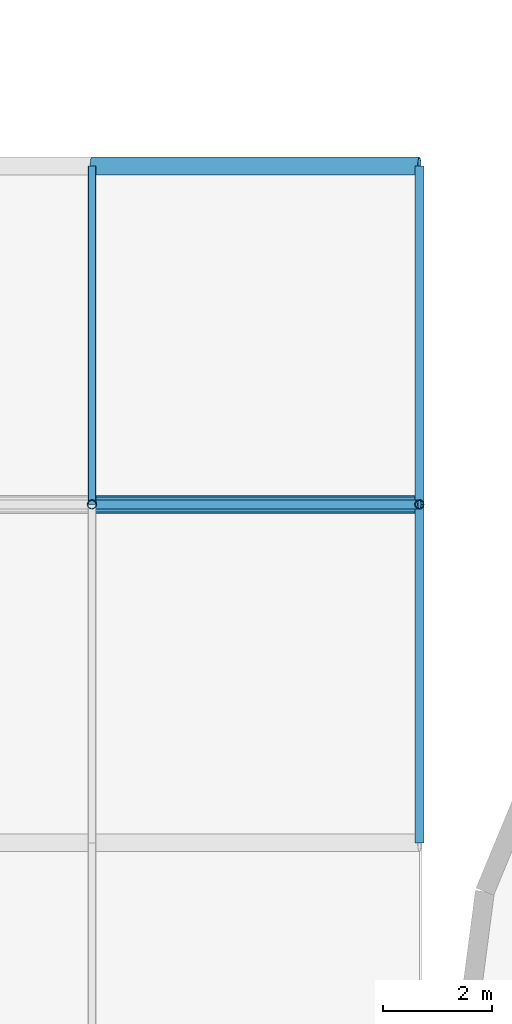
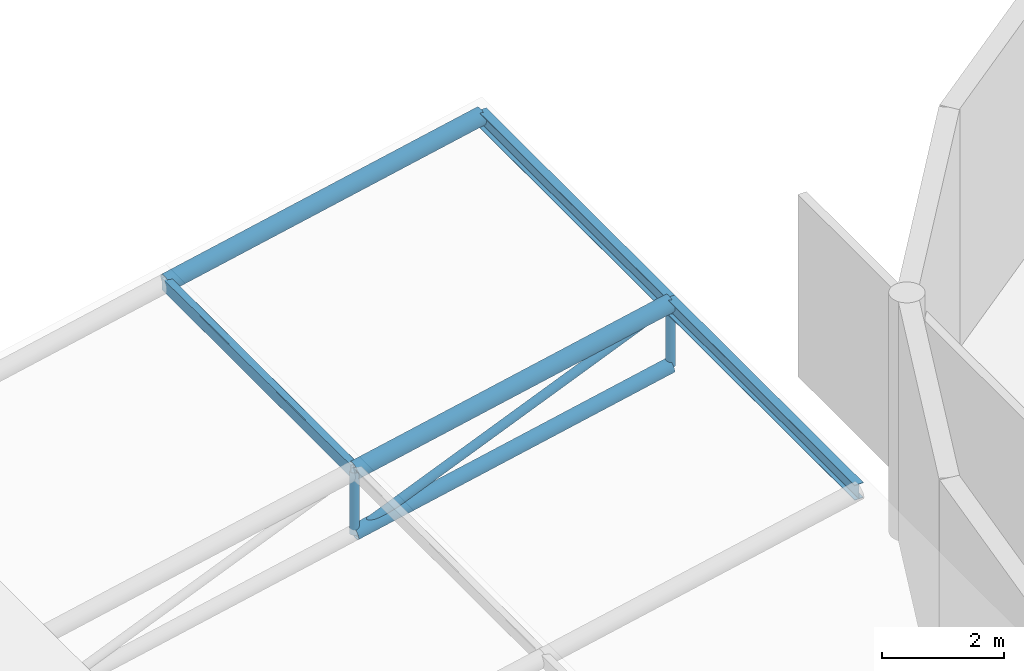
# One storey, part 20 of 48: 9 members.
"""IFC4 building model written with IfcOpenShell, lengths in metres."""

from ifc_helpers import new_model, si_unit, direction, frame, origin, origin_2d, place, context, subcontext, project, spatial, hollow_rectangle, hollow_circle, i_section, extrude, material, material_profile, profile_set, type_object, element, save


model = new_model("IFC4")

# Units and contexts
model_context = context("Model", 3, precision=1e-05, world=origin(), true_north=direction((0.0, 1.0)))
body_context = subcontext(model_context, "Body", "Model", "MODEL_VIEW")
ifc_project = project(units=[si_unit("LENGTHUNIT", "METRE"), si_unit("AREAUNIT", "SQUARE_METRE"), si_unit("VOLUMEUNIT", "CUBIC_METRE"), si_unit("PLANEANGLEUNIT", "RADIAN"), si_unit("MASSUNIT", "GRAM", prefix="KILO")], contexts=[model_context])

# Site, building, storey
site_placement = place(None, origin())
site = spatial("IfcSite", under=ifc_project, at=site_placement, CompositionType="ELEMENT")
building_placement = place(site_placement, origin())
building = spatial("IfcBuilding", under=site, at=building_placement, Name="Mirzam Square Science Centre", CompositionType="ELEMENT")
storey_placement = place(building_placement, frame((0.0, 0.0, 20.39990234375)))
storey = spatial("IfcBuildingStorey", under=building, at=storey_placement, Name="L04", CompositionType="ELEMENT", Elevation=20.39990234375)

# Members
ifc_material = material(Name="Steel S355", Category="steel")
ifc_material_profile_1 = material_profile(ifc_material, hollow_circle(Radius=0.084228515625, WallThickness=0.008056640625, at=origin_2d()), Name="168.3x8.0CHS")
ifc_profile_set_1 = profile_set([ifc_material_profile_1], Name="Steel S355")
member_type_1 = type_object("IfcMemberType", Name="BR-CHS168", PredefinedType="BRACE", material=ifc_profile_set_1)
member_1_placement = place(storey_placement, frame((54.0, 74.39990234375, 1.91455078125), z_axis=(0.922529582988, 0.0, 0.385926377063), x_axis=(0.0, 1.0, 0.0)))
element("IfcMember", 1, at=member_1_placement, inside=storey, type_object=member_type_1, Name="Wedge truss web diagonal Y13 bay 10", PredefinedType="BRACE", context=body_context, shape_type="SweptSolid", body=[
    extrude(hollow_circle(Radius=0.084228515625, WallThickness=0.008056640625, at=origin_2d()), origin(), (0.0, 0.0, 1.0), 6.50390625),
])
for number, where, z_axis, x_axis, name in (
    (2, (54.0, 74.39990234375, 1.91455078125), (0.0, 0.0, 1.0), (1.0, 0.0, 0.0), "Wedge truss post Y13 bay 10"),
    (3, (60.0, 74.39990234375, 3.174560546875), (0.0, 0.0, 1.0), (1.0, 0.0, 0.0), "Wedge truss end post Y13"),
):
    element("IfcMember", number, at=place(storey_placement, frame(where, z_axis=z_axis, x_axis=x_axis)), inside=storey, type_object=member_type_1, Name=name, PredefinedType="BRACE", context=body_context, shape_type="SweptSolid", body=[
        extrude(hollow_circle(Radius=0.084228515625, WallThickness=0.008056640625, at=origin_2d()), origin(), (0.0, 0.0, 1.0), 1.25),
    ])
ifc_material_profile_2 = material_profile(ifc_material, hollow_circle(Radius=0.136474609375, WallThickness=0.010009765625, at=origin_2d()), Name="273.0x10.0CHS")
ifc_profile_set_2 = profile_set([ifc_material_profile_2], Name="Steel S355")
member_type_2 = type_object("IfcMemberType", Name="CH-CHS273", PredefinedType="CHORD", material=ifc_profile_set_2)
member_2_placement = place(storey_placement, frame((54.0, 74.39990234375, 1.91455078125), z_axis=(0.978653176229, 0.0, 0.205518759868), x_axis=(0.0, 1.0, 0.0)))
element("IfcMember", 4, at=member_2_placement, inside=storey, type_object=member_type_2, Name="Wedge truss bottom chord Y13 bay 10", PredefinedType="CHORD", context=body_context, shape_type="SweptSolid", body=[
    extrude(hollow_circle(Radius=0.136474609375, WallThickness=0.010009765625, at=origin_2d()), origin(), (0.0, 0.0, 1.0), 6.130859375),
])
ifc_material_profile_3 = material_profile(ifc_material, hollow_circle(Radius=0.161865234375, WallThickness=0.012451171875, at=origin_2d()), Name="323.9x12.5CHS")
ifc_profile_set_3 = profile_set([ifc_material_profile_3], Name="Steel S355")
member_type_3 = type_object("IfcMemberType", Name="CH-CHS324", PredefinedType="CHORD", material=ifc_profile_set_3)
for number, where, z_axis, x_axis, name in (
    (5, (54.0, 74.39990234375, 3.16455078125), (0.978653176229, 0.0, 0.205518759868), (0.0, 1.0, 0.0), "Wedge truss top chord Y13 bay 10"),
    (6, (54.0, 80.60009765625, 3.16455078125), (0.978653176229, 0.0, 0.205518759868), (0.0, 1.0, 0.0), "Wedge truss top chord Y14 bay 10"),
):
    element("IfcMember", number, at=place(storey_placement, frame(where, z_axis=z_axis, x_axis=x_axis)), inside=storey, type_object=member_type_3, Name=name, PredefinedType="CHORD", context=body_context, shape_type="SweptSolid", body=[
        extrude(hollow_circle(Radius=0.161865234375, WallThickness=0.012451171875, at=origin_2d()), origin(), (0.0, 0.0, 1.0), 6.130859375),
    ])
ifc_material_profile_4 = material_profile(ifc_material, hollow_rectangle(XDim=0.14990234375, YDim=0.25, WallThickness=0.010009765625, InnerFilletRadius=0.010009765625, OuterFilletRadius=0.02001953125, at=origin_2d()), Name="250x150x10.0RHS")
ifc_profile_set_4 = profile_set([ifc_material_profile_4], Name="Steel S355")
member_type_4 = type_object("IfcMemberType", Name="RF-RHS250", PredefinedType="RAFTER", material=ifc_profile_set_4)
member_3_placement = place(storey_placement, frame((54.0, 74.39990234375, 3.16748046875), z_axis=(0.0, 1.0, 0.0), x_axis=(-1.0, 0.0, 0.0)))
element("IfcMember", 7, at=member_3_placement, inside=storey, type_object=member_type_4, Name="Wedge roof rafter X10-13", PredefinedType="RAFTER", context=body_context, shape_type="SweptSolid", body=[
    extrude(hollow_rectangle(XDim=0.14990234375, YDim=0.25, WallThickness=0.010009765625, InnerFilletRadius=0.010009765625, OuterFilletRadius=0.02001953125, at=origin_2d()), origin(), (0.0, 0.0, 1.0), 6.2001953125),
])
ifc_material_profile_5 = material_profile(ifc_material, i_section(OverallWidth=0.165771484375, OverallDepth=0.306640625, WebThickness=0.006591796875, FlangeThickness=0.01171875, FilletRadius=0.0087890625, at=origin_2d()), Name="305x165x46UB")
ifc_profile_set_5 = profile_set([ifc_material_profile_5], Name="Steel S355")
member_type_5 = type_object("IfcMemberType", Name="RF-UB305", PredefinedType="RAFTER", material=ifc_profile_set_5)
member_4_placement = place(storey_placement, frame((60.0, 68.199951171875, 4.3984375), z_axis=(0.0, 1.0, 0.0), x_axis=(-1.0, 0.0, 0.0)))
element("IfcMember", 8, at=member_4_placement, inside=storey, type_object=member_type_5, Name="Wedge ridge rafter X11-12", PredefinedType="RAFTER", context=body_context, shape_type="SweptSolid", body=[
    extrude(i_section(OverallWidth=0.165771484375, OverallDepth=0.306640625, WebThickness=0.006591796875, FlangeThickness=0.01171875, FilletRadius=0.0087890625, at=origin_2d()), origin(), (0.0, 0.0, 1.0), 6.199951171875),
])
member_5_placement = place(storey_placement, frame((60.0, 74.39990234375, 4.3984375), z_axis=(0.0, 1.0, 0.0), x_axis=(-1.0, 0.0, 0.0)))
element("IfcMember", 9, at=member_5_placement, inside=storey, type_object=member_type_5, Name="Wedge ridge rafter X11-13", PredefinedType="RAFTER", context=body_context, shape_type="SweptSolid", body=[
    extrude(i_section(OverallWidth=0.165771484375, OverallDepth=0.306640625, WebThickness=0.006591796875, FlangeThickness=0.01171875, FilletRadius=0.0087890625, at=origin_2d()), origin(), (0.0, 0.0, 1.0), 6.2001953125),
])

save(model, "model.ifc")
